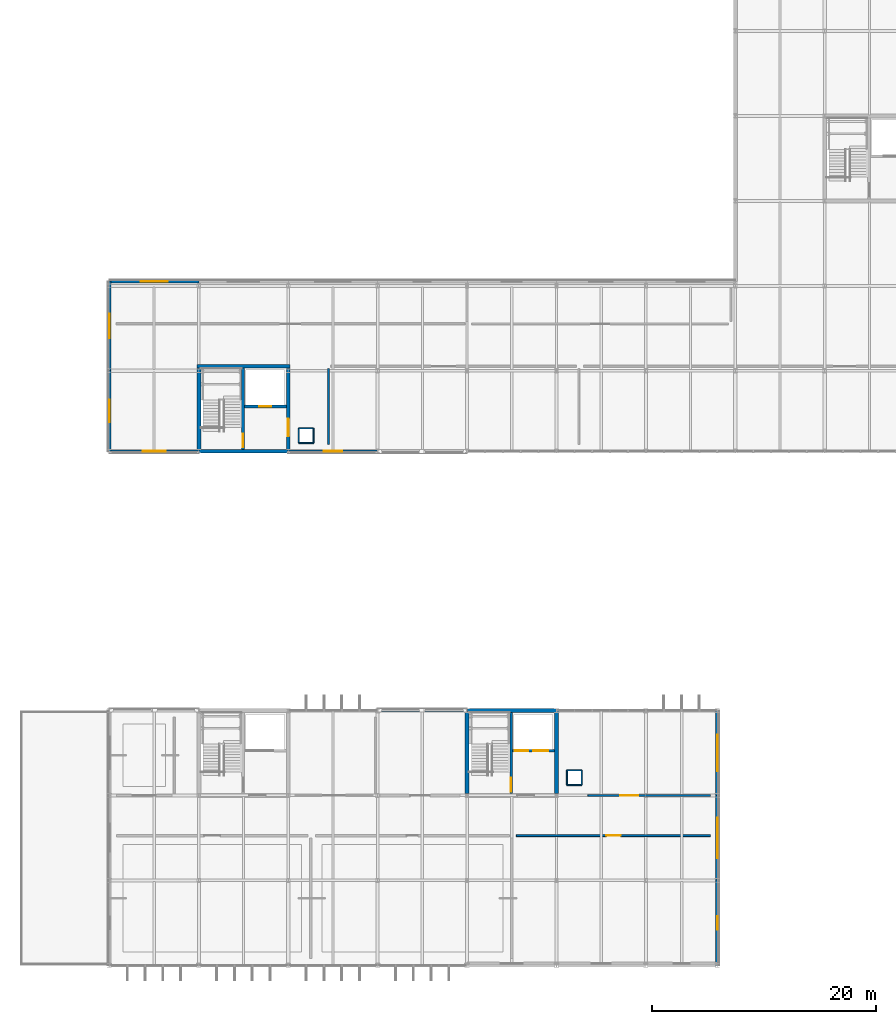
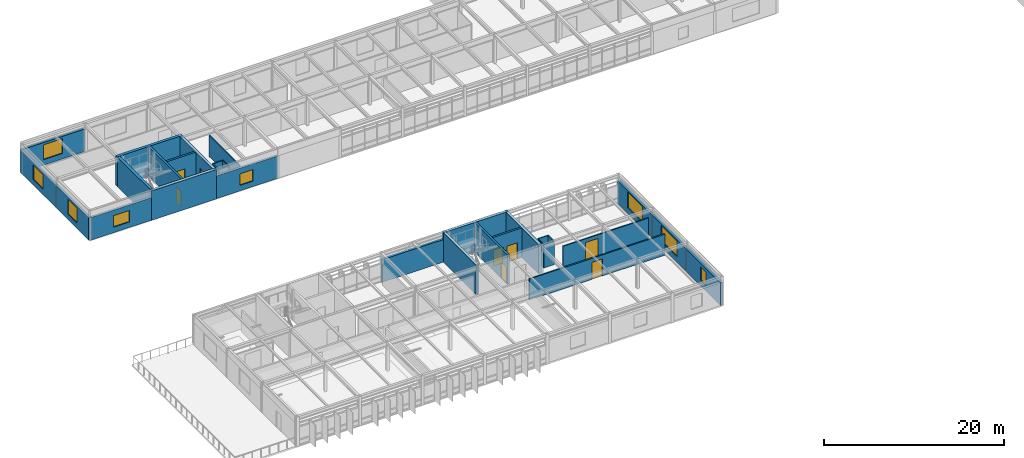
# One storey, part 32 of 45: 31 walls, 8 doors, 8 windows, 16 openings.
"""IFC4 building model written with IfcOpenShell, lengths in metres."""

from ifc_helpers import new_model, si_unit, direction, frame, frame_2d, origin, place, context, subcontext, project, spatial, rectangle, extrude, material, layer, layer_set, type_object, element, fill, save


model = new_model("IFC4")

# Units and contexts
model_context = context("Model", 3, precision=1e-05, world=origin(), true_north=direction((0.0, 1.0)))
body_context = subcontext(model_context, "Body", "Model", "MODEL_VIEW")
ifc_project = project(units=[si_unit("LENGTHUNIT", "METRE"), si_unit("AREAUNIT", "SQUARE_METRE"), si_unit("VOLUMEUNIT", "CUBIC_METRE"), si_unit("PLANEANGLEUNIT", "RADIAN"), si_unit("MASSUNIT", "GRAM", prefix="KILO")], contexts=[model_context])

# Site, building, storey
site_placement = place(None, origin())
site = spatial("IfcSite", under=ifc_project, at=site_placement, CompositionType="ELEMENT")
building_placement = place(site_placement, origin())
building = spatial("IfcBuilding", under=site, at=building_placement, Name="Zulena Civic Courthouse", CompositionType="ELEMENT")
storey_placement = place(building_placement, frame((0.0, 0.0, 29.39990234375)))
storey = spatial("IfcBuildingStorey", under=building, at=storey_placement, Name="L06", CompositionType="ELEMENT", Elevation=29.39990234375)

# Wall, opening, door
ifc_material_1 = material(Name="Concrete C40/50", Category="concrete")
ifc_layer_1 = layer(ifc_material_1, 0.25)
ifc_layer_set_1 = layer_set([ifc_layer_1], Name="Concrete C40/50")
wall_type_1 = type_object("IfcWallType", Name="CoreShearWall_RC250", PredefinedType="SHEAR", material=ifc_layer_set_1)
wall_1_placement = place(storey_placement, frame((47.949951171875, 15.375, 0.0), z_axis=(0.0, 0.0, 1.0), x_axis=(0.0, 1.0, 0.0)))
wall_1 = element("IfcWall", 1, at=wall_1_placement, inside=storey, type_object=wall_type_1, Name="cwall:K2B:L06:DIV", PredefinedType="SHEAR", context=body_context, shape_type="SweptSolid", body=[
    extrude(rectangle(XDim=7.25, YDim=0.25, at=frame_2d((3.625, 0.0))), origin(), (0.0, 0.0, 1.0), 3.989990234375),
])
opening_1_placement = place(wall_1_placement, frame((0.179931640625, 0.0, 0.0)))
opening_1 = element("IfcOpeningElement", 2, at=opening_1_placement, cuts=wall_1, Name="Opening ID06", PredefinedType="OPENING", context=body_context, shape_type="SweptSolid", body=[
    extrude(rectangle(XDim=1.25, YDim=2.199951171875, at=frame_2d((0.625, 1.10009765625))), frame((0.0, 0.135009765625, 0.0), z_axis=(0.0, -1.0, 0.0), x_axis=(1.0, 0.0, 0.0)), (0.0, 0.0, 1.0), 0.27001953125),
])
ifc_material_2 = material(Name="Fire-rated galvanised steel ASTM A653 Grade 50", Category="steel")
door_type_1 = type_object("IfcDoorType", Name="IntDoor_Stair_1250x2200", OperationType="NOTDEFINED", PredefinedType="DOOR", material=ifc_material_2)
door_1_placement = place(opening_1_placement, origin())
door_1 = element("IfcDoor", 3, at=door_1_placement, inside=storey, type_object=door_type_1, Name="door:stair:K2B:L06", OperationType="SINGLE_SWING_LEFT", OverallHeight=2.199951171875, OverallWidth=1.25, PredefinedType="DOOR", context=body_context, shape_type="SweptSolid", body=[
    extrude(rectangle(XDim=1.25, YDim=2.199951171875, at=frame_2d((0.625, 1.10009765625))), frame((0.0, 0.02490234375, 0.0), z_axis=(0.0, -1.0, 0.0), x_axis=(1.0, 0.0, 0.0)), (0.0, 0.0, 1.0), 0.050048828125),
])
fill(opening_1, door_1)

# Wall, openings, doors
wall_2_placement = place(storey_placement, frame((48.074951171875, 19.199951171875, 0.0), z_axis=(0.0, 0.0, 1.0), x_axis=(1.0, 0.0, 0.0)))
wall_2 = element("IfcWall", 4, at=wall_2_placement, inside=storey, type_object=wall_type_1, Name="cwall:K2B:L06:SHF", PredefinedType="SHEAR", context=body_context, shape_type="SweptSolid", body=[
    extrude(rectangle(XDim=3.75, YDim=0.25, at=frame_2d((1.875, 0.0))), origin(), (0.0, 0.0, 1.0), 3.989990234375),
])
opening_2_placement = place(wall_2_placement, frame((0.179931640625, 0.0, 0.0)))
opening_2 = element("IfcOpeningElement", 5, at=opening_2_placement, cuts=wall_2, Name="Opening LD01", PredefinedType="OPENING", context=body_context, shape_type="SweptSolid", body=[
    extrude(rectangle(XDim=1.199951171875, YDim=2.199951171875, at=frame_2d((0.60009765625, 1.10009765625))), frame((0.0, 0.135009765625, 0.0), z_axis=(0.0, -1.0, 0.0), x_axis=(1.0, 0.0, 0.0)), (0.0, 0.0, 1.0), 0.27001953125),
])
opening_3_placement = place(wall_2_placement, frame((1.85009765625, 0.0, 0.0)))
opening_3 = element("IfcOpeningElement", 6, at=opening_3_placement, cuts=wall_2, Name="Opening LD04", PredefinedType="OPENING", context=body_context, shape_type="SweptSolid", body=[
    extrude(rectangle(XDim=1.35009765625, YDim=2.199951171875, at=frame_2d((0.675048828125, 1.10009765625))), frame((0.0, 0.135009765625, 0.0), z_axis=(0.0, -1.0, 0.0), x_axis=(1.0, 0.0, 0.0)), (0.0, 0.0, 1.0), 0.27001953125),
])
door_type_2 = type_object("IfcDoorType", Name="LiftLandingDoor_FF_1200x2200", OperationType="SLIDING_TO_LEFT", PredefinedType="DOOR", material=ifc_material_2)
door_2_placement = place(opening_2_placement, origin())
door_2 = element("IfcDoor", 7, at=door_2_placement, inside=storey, type_object=door_type_2, Name="door:ld:FL-02:L06", OperationType="SLIDING_TO_LEFT", OverallHeight=2.199951171875, OverallWidth=1.199951171875, PredefinedType="DOOR", context=body_context, shape_type="SweptSolid", body=[
    extrude(rectangle(XDim=1.199951171875, YDim=2.199951171875, at=frame_2d((0.60009765625, 1.10009765625))), frame((0.0, 0.02490234375, 0.0), z_axis=(0.0, -1.0, 0.0), x_axis=(1.0, 0.0, 0.0)), (0.0, 0.0, 1.0), 0.050048828125),
])
fill(opening_2, door_2)
door_type_3 = type_object("IfcDoorType", Name="LiftLandingDoor_Goods_1350x2300", OperationType="DOUBLE_DOOR_SLIDING", PredefinedType="DOOR", material=ifc_material_2)
door_3_placement = place(opening_3_placement, origin())
door_3 = element("IfcDoor", 8, at=door_3_placement, inside=storey, type_object=door_type_3, Name="door:ld:CL-01:L06", OperationType="DOUBLE_DOOR_SLIDING", OverallHeight=2.199951171875, OverallWidth=1.35009765625, PredefinedType="DOOR", context=body_context, shape_type="SweptSolid", body=[
    extrude(rectangle(XDim=1.35009765625, YDim=2.199951171875, at=frame_2d((0.675048828125, 1.10009765625))), frame((0.0, 0.02490234375, 0.0), z_axis=(0.0, -1.0, 0.0), x_axis=(1.0, 0.0, 0.0)), (0.0, 0.0, 1.0), 0.050048828125),
])
fill(opening_3, door_3)

# Wall, opening, door
wall_3_placement = place(storey_placement, frame((23.949951171875, 46.175048828125, 0.0), z_axis=(0.0, 0.0, 1.0), x_axis=(0.0, 1.0, 0.0)))
wall_3 = element("IfcWall", 9, at=wall_3_placement, inside=storey, type_object=wall_type_1, Name="cwall:K5A:L06:DIV", PredefinedType="SHEAR", context=body_context, shape_type="SweptSolid", body=[
    extrude(rectangle(XDim=7.25, YDim=0.25, at=frame_2d((3.625, 0.0))), origin(), (0.0, 0.0, 1.0), 3.989990234375),
])
opening_4_placement = place(wall_3_placement, frame((0.179931640625, 0.0, 0.0)))
opening_4 = element("IfcOpeningElement", 10, at=opening_4_placement, cuts=wall_3, Name="Opening ID07", PredefinedType="OPENING", context=body_context, shape_type="SweptSolid", body=[
    extrude(rectangle(XDim=1.199951171875, YDim=2.199951171875, at=frame_2d((0.60009765625, 1.10009765625))), frame((0.0, 0.135009765625, 0.0), z_axis=(0.0, -1.0, 0.0), x_axis=(1.0, 0.0, 0.0)), (0.0, 0.0, 1.0), 0.27001953125),
])
door_type_4 = type_object("IfcDoorType", Name="IntDoor_Stair_1200x2200", OperationType="NOTDEFINED", PredefinedType="DOOR", material=ifc_material_2)
door_4_placement = place(opening_4_placement, origin())
door_4 = element("IfcDoor", 11, at=door_4_placement, inside=storey, type_object=door_type_4, Name="door:stair:K5A:L06", OperationType="SINGLE_SWING_RIGHT", OverallHeight=2.199951171875, OverallWidth=1.199951171875, PredefinedType="DOOR", context=body_context, shape_type="SweptSolid", body=[
    extrude(rectangle(XDim=1.199951171875, YDim=2.199951171875, at=frame_2d((0.60009765625, 1.10009765625))), frame((0.0, 0.02490234375, 0.0), z_axis=(0.0, -1.0, 0.0), x_axis=(1.0, 0.0, 0.0)), (0.0, 0.0, 1.0), 0.050048828125),
])
fill(opening_4, door_4)

wall_4_placement = place(storey_placement, frame((24.074951171875, 50.0, 0.0), z_axis=(0.0, 0.0, 1.0), x_axis=(1.0, 0.0, 0.0)))
wall_4 = element("IfcWall", 12, at=wall_4_placement, inside=storey, type_object=wall_type_1, Name="cwall:K5A:L06:SHF", PredefinedType="SHEAR", context=body_context, shape_type="SweptSolid", body=[
    extrude(rectangle(XDim=3.75, YDim=0.25, at=frame_2d((1.875, 0.0))), origin(), (0.0, 0.0, 1.0), 3.989990234375),
])
opening_5_placement = place(wall_4_placement, frame((1.344970703125, 0.0, 0.0)))
opening_5 = element("IfcOpeningElement", 13, at=opening_5_placement, cuts=wall_4, Name="Opening LD03", PredefinedType="OPENING", context=body_context, shape_type="SweptSolid", body=[
    extrude(rectangle(XDim=1.050048828125, YDim=2.199951171875, at=frame_2d((0.52490234375, 1.10009765625))), frame((0.0, 0.135009765625, 0.0), z_axis=(0.0, -1.0, 0.0), x_axis=(1.0, 0.0, 0.0)), (0.0, 0.0, 1.0), 0.27001953125),
])
door_type_5 = type_object("IfcDoorType", Name="LiftLandingDoor_Jud_1050x2200", OperationType="SLIDING_TO_RIGHT", PredefinedType="DOOR", material=ifc_material_2)
door_5_placement = place(opening_5_placement, origin())
door_5 = element("IfcDoor", 14, at=door_5_placement, inside=storey, type_object=door_type_5, Name="door:ld:JL-02:L06", OperationType="SLIDING_TO_RIGHT", OverallHeight=2.199951171875, OverallWidth=1.050048828125, PredefinedType="DOOR", context=body_context, shape_type="SweptSolid", body=[
    extrude(rectangle(XDim=1.050048828125, YDim=2.199951171875, at=frame_2d((0.52490234375, 1.10009765625))), frame((0.0, 0.02490234375, 0.0), z_axis=(0.0, -1.0, 0.0), x_axis=(1.0, 0.0, 0.0)), (0.0, 0.0, 1.0), 0.050048828125),
])
fill(opening_5, door_5)

# Walls
ifc_layer_2 = layer(ifc_material_1, 0.35009765625)
ifc_layer_set_2 = layer_set([ifc_layer_2], Name="Concrete C40/50")
wall_type_2 = type_object("IfcWallType", Name="CoreShearWall_RC350", PredefinedType="SHEAR", material=ifc_layer_set_2)
wall_5_placement = place(storey_placement, frame((43.824951171875, 22.800048828125, 0.0), z_axis=(0.0, 0.0, 1.0), x_axis=(1.0, 0.0, 0.0)))
element("IfcWall", 15, at=wall_5_placement, inside=storey, type_object=wall_type_2, Name="cwall:K2B:L06:N", PredefinedType="SHEAR", context=body_context, shape_type="SweptSolid", body=[
    extrude(rectangle(XDim=8.35009765625, YDim=0.35009765625, at=frame_2d((4.175048828125, 0.0))), origin(), (0.0, 0.0, 1.0), 3.989990234375),
])
for number, where, z_axis, x_axis, name in (
    (16, (44.0, 15.375, 0.0), (0.0, 0.0, 1.0), (0.0, 1.0, 0.0), "cwall:K2B:L06:W"),
    (17, (52.0, 15.375, 0.0), (0.0, 0.0, 1.0), (0.0, 1.0, 0.0), "cwall:K2B:L06:E"),
):
    element("IfcWall", number, at=place(storey_placement, frame(where, z_axis=z_axis, x_axis=x_axis)), inside=storey, type_object=wall_type_2, Name=name, PredefinedType="SHEAR", context=body_context, shape_type="SweptSolid", body=[
        extrude(rectangle(XDim=7.25, YDim=0.35009765625, at=frame_2d((3.625, 0.0))), origin(), (0.0, 0.0, 1.0), 3.989990234375),
    ])
for number, where, z_axis, x_axis, name in (
    (18, (19.824951171875, 46.0, 0.0), (0.0, 0.0, 1.0), (1.0, 0.0, 0.0), "cwall:K5A:L06:S"),
    (19, (19.824951171875, 53.60009765625, 0.0), (0.0, 0.0, 1.0), (1.0, 0.0, 0.0), "cwall:K5A:L06:N"),
):
    element("IfcWall", number, at=place(storey_placement, frame(where, z_axis=z_axis, x_axis=x_axis)), inside=storey, type_object=wall_type_2, Name=name, PredefinedType="SHEAR", context=body_context, shape_type="SweptSolid", body=[
        extrude(rectangle(XDim=8.35009765625, YDim=0.35009765625, at=frame_2d((4.175048828125, 0.0))), origin(), (0.0, 0.0, 1.0), 3.989990234375),
    ])
wall_6_placement = place(storey_placement, frame((20.0, 46.175048828125, 0.0), z_axis=(0.0, 0.0, 1.0), x_axis=(0.0, 1.0, 0.0)))
element("IfcWall", 20, at=wall_6_placement, inside=storey, type_object=wall_type_2, Name="cwall:K5A:L06:W", PredefinedType="SHEAR", context=body_context, shape_type="SweptSolid", body=[
    extrude(rectangle(XDim=7.25, YDim=0.35009765625, at=frame_2d((3.625, 0.0))), origin(), (0.0, 0.0, 1.0), 3.989990234375),
])

# Wall, opening, door
wall_7_placement = place(storey_placement, frame((28.0, 46.175048828125, 0.0), z_axis=(0.0, 0.0, 1.0), x_axis=(0.0, 1.0, 0.0)))
wall_7 = element("IfcWall", 21, at=wall_7_placement, inside=storey, type_object=wall_type_2, Name="cwall:K5A:L06:E", PredefinedType="SHEAR", context=body_context, shape_type="SweptSolid", body=[
    extrude(rectangle(XDim=7.25, YDim=0.35009765625, at=frame_2d((3.625, 0.0))), origin(), (0.0, 0.0, 1.0), 3.989990234375),
])
opening_6_placement = place(wall_7_placement, frame((1.14990234375, 0.0, 0.0)))
opening_6 = element("IfcOpeningElement", 22, at=opening_6_placement, cuts=wall_7, Name="Opening ID04", PredefinedType="OPENING", context=body_context, shape_type="SweptSolid", body=[
    extrude(rectangle(XDim=1.60009765625, YDim=2.35009765625, at=frame_2d((0.800048828125, 1.175048828125))), frame((0.0, 0.18505859375, 0.0), z_axis=(0.0, -1.0, 0.0), x_axis=(1.0, 0.0, 0.0)), (0.0, 0.0, 1.0), 0.3701171875),
])
ifc_material_3 = material(Name="Solid-core acoustic hardwood timber", Category="wood")
door_type_6 = type_object("IfcDoorType", Name="IntDoor_CourtPublic_1600x2350", OperationType="DOUBLE_DOOR_SINGLE_SWING", PredefinedType="DOOR", material=ifc_material_3)
door_6_placement = place(opening_6_placement, origin())
door_6 = element("IfcDoor", 23, at=door_6_placement, inside=storey, type_object=door_type_6, Name="door:corelob:K5A:L06", OperationType="DOUBLE_DOOR_SINGLE_SWING", OverallHeight=2.35009765625, OverallWidth=1.60009765625, PredefinedType="DOOR", context=body_context, shape_type="SweptSolid", body=[
    extrude(rectangle(XDim=1.60009765625, YDim=2.35009765625, at=frame_2d((0.800048828125, 1.175048828125))), frame((0.0, 0.02490234375, 0.0), z_axis=(0.0, -1.0, 0.0), x_axis=(1.0, 0.0, 0.0)), (0.0, 0.0, 1.0), 0.050048828125),
])
fill(opening_6, door_6)

# Wall, opening, window
ifc_material_4 = material(Name="Buff architectural precast concrete C40/50", Category="concrete")
ifc_layer_3 = layer(ifc_material_4, 0.264892578125)
ifc_layer_set_3 = layer_set([ifc_layer_3], Name="Buff architectural precast concrete C40/50")
wall_type_3 = type_object("IfcWallType", Name="ExtWall_BuffPrecast_265", PredefinedType="STANDARD", material=ifc_layer_set_3)
wall_8_placement = place(storey_placement, frame((12.0, 45.97998046875, 0.0), z_axis=(0.0, 0.0, 1.0), x_axis=(0.0, 1.0, 0.0)))
wall_8 = element("IfcWall", 24, at=wall_8_placement, inside=storey, type_object=wall_type_3, Name="ewall:V5:L06:0:0", PredefinedType="STANDARD", context=body_context, shape_type="SweptSolid", body=[
    extrude(rectangle(XDim=7.239990234375, YDim=0.264892578125, at=frame_2d((3.6201171875, 0.0))), origin(), (0.0, 0.0, 1.0), 3.06005859375),
])
opening_7_placement = place(wall_8_placement, frame((2.6201171875, 0.0, 0.75)))
opening_7 = element("IfcOpeningElement", 25, at=opening_7_placement, cuts=wall_8, Name="Opening WN04", PredefinedType="OPENING", context=body_context, shape_type="SweptSolid", body=[
    extrude(rectangle(XDim=2.0, YDim=2.0, at=frame_2d((1.0, 1.0))), frame((0.0, 0.142333984375, 0.0), z_axis=(0.0, -1.0, 0.0), x_axis=(1.0, 0.0, 0.0)), (0.0, 0.0, 1.0), 0.284912109375),
])
ifc_material_5 = material(Name="Double-silver low-E laminated solar-control glass", Category="glass")
window_type_1 = type_object("IfcWindowType", Name="Win_2000x2000", PartitioningType="DOUBLE_PANEL_VERTICAL", PredefinedType="WINDOW", material=ifc_material_5)
window_1_placement = place(opening_7_placement, origin())
window_1 = element("IfcWindow", 26, at=window_1_placement, inside=storey, type_object=window_type_1, Name="win:V5:L06:0:0", OverallHeight=2.0, OverallWidth=2.0, PartitioningType="SINGLE_PANEL", PredefinedType="WINDOW", context=body_context, shape_type="SweptSolid", body=[
    extrude(rectangle(XDim=2.0, YDim=2.0, at=frame_2d((1.0, 1.0))), frame((0.0, 0.030029296875, 0.0), z_axis=(0.0, -1.0, 0.0), x_axis=(1.0, 0.0, 0.0)), (0.0, 0.0, 1.0), 0.06005859375),
])
fill(opening_7, window_1)

wall_9_placement = place(storey_placement, frame((12.0, 53.179931640625, 0.0), z_axis=(0.0, 0.0, 1.0), x_axis=(0.0, 1.0, 0.0)))
wall_9 = element("IfcWall", 27, at=wall_9_placement, inside=storey, type_object=wall_type_3, Name="ewall:V5:L06:0:1", PredefinedType="STANDARD", context=body_context, shape_type="SweptSolid", body=[
    extrude(rectangle(XDim=8.0400390625, YDim=0.264892578125, at=frame_2d((4.02001953125, 0.0))), origin(), (0.0, 0.0, 1.0), 3.06005859375),
])
opening_8_placement = place(wall_9_placement, frame((2.919921875, 0.0, 0.75)))
opening_8 = element("IfcOpeningElement", 28, at=opening_8_placement, cuts=wall_9, Name="Opening WN05", PredefinedType="OPENING", context=body_context, shape_type="SweptSolid", body=[
    extrude(rectangle(XDim=2.199951171875, YDim=2.0, at=frame_2d((1.10009765625, 1.0))), frame((0.0, 0.142333984375, 0.0), z_axis=(0.0, -1.0, 0.0), x_axis=(1.0, 0.0, 0.0)), (0.0, 0.0, 1.0), 0.284912109375),
])
window_type_2 = type_object("IfcWindowType", Name="Win_2200x2000", PartitioningType="DOUBLE_PANEL_VERTICAL", PredefinedType="WINDOW", material=ifc_material_5)
window_2_placement = place(opening_8_placement, origin())
window_2 = element("IfcWindow", 29, at=window_2_placement, inside=storey, type_object=window_type_2, Name="win:V5:L06:0:1", OverallHeight=2.0, OverallWidth=2.199951171875, PartitioningType="SINGLE_PANEL", PredefinedType="WINDOW", context=body_context, shape_type="SweptSolid", body=[
    extrude(rectangle(XDim=2.199951171875, YDim=2.0, at=frame_2d((1.10009765625, 1.0))), frame((0.0, 0.030029296875, 0.0), z_axis=(0.0, -1.0, 0.0), x_axis=(1.0, 0.0, 0.0)), (0.0, 0.0, 1.0), 0.06005859375),
])
fill(opening_8, window_2)

wall_10_placement = place(storey_placement, frame((11.97998046875, 61.199951171875, 0.0), z_axis=(0.0, 0.0, 1.0), x_axis=(1.0, 0.0, 0.0)))
wall_10 = element("IfcWall", 30, at=wall_10_placement, inside=storey, type_object=wall_type_3, Name="ewall:V5:L06:1:0", PredefinedType="STANDARD", context=body_context, shape_type="SweptSolid", body=[
    extrude(rectangle(XDim=8.0400390625, YDim=0.264892578125, at=frame_2d((4.02001953125, 0.0))), origin(), (0.0, 0.0, 1.0), 3.06005859375),
])
opening_9_placement = place(wall_10_placement, frame((2.820068359375, 0.0, 0.75)))
opening_9 = element("IfcOpeningElement", 31, at=opening_9_placement, cuts=wall_10, Name="Opening WN06", PredefinedType="OPENING", context=body_context, shape_type="SweptSolid", body=[
    extrude(rectangle(XDim=2.39990234375, YDim=2.0, at=frame_2d((1.199951171875, 1.0))), frame((0.0, 0.142333984375, 0.0), z_axis=(0.0, -1.0, 0.0), x_axis=(1.0, 0.0, 0.0)), (0.0, 0.0, 1.0), 0.284912109375),
])
window_type_3 = type_object("IfcWindowType", Name="Win_2400x2000", PartitioningType="DOUBLE_PANEL_VERTICAL", PredefinedType="WINDOW", material=ifc_material_5)
window_3_placement = place(opening_9_placement, origin())
window_3 = element("IfcWindow", 32, at=window_3_placement, inside=storey, type_object=window_type_3, Name="win:V5:L06:1:0", OverallHeight=2.0, OverallWidth=2.39990234375, PartitioningType="SINGLE_PANEL", PredefinedType="WINDOW", context=body_context, shape_type="SweptSolid", body=[
    extrude(rectangle(XDim=2.39990234375, YDim=2.0, at=frame_2d((1.199951171875, 1.0))), frame((0.0, 0.030029296875, 0.0), z_axis=(0.0, -1.0, 0.0), x_axis=(1.0, 0.0, 0.0)), (0.0, 0.0, 1.0), 0.06005859375),
])
fill(opening_9, window_3)

wall_11_placement = place(storey_placement, frame((36.02001953125, 46.0, 0.0), z_axis=(0.0, 0.0, 1.0), x_axis=(-1.0, 0.0, 0.0)))
wall_11 = element("IfcWall", 33, at=wall_11_placement, inside=storey, type_object=wall_type_3, Name="ewall:V5:L06:5:8", PredefinedType="STANDARD", context=body_context, shape_type="SweptSolid", body=[
    extrude(rectangle(XDim=8.0400390625, YDim=0.264892578125, at=frame_2d((4.02001953125, 0.0))), origin(), (0.0, 0.0, 1.0), 3.06005859375),
])
opening_10_placement = place(wall_11_placement, frame((3.195068359375, 0.0, 0.75)))
opening_10 = element("IfcOpeningElement", 34, at=opening_10_placement, cuts=wall_11, Name="Opening WN25", PredefinedType="OPENING", context=body_context, shape_type="SweptSolid", body=[
    extrude(rectangle(XDim=1.64990234375, YDim=1.550048828125, at=frame_2d((0.824951171875, 0.77490234375))), frame((0.0, 0.142333984375, 0.0), z_axis=(0.0, -1.0, 0.0), x_axis=(1.0, 0.0, 0.0)), (0.0, 0.0, 1.0), 0.284912109375),
])
window_type_4 = type_object("IfcWindowType", Name="Win_1650x1550", PartitioningType="SINGLE_PANEL", PredefinedType="WINDOW", material=ifc_material_5)
window_4_placement = place(opening_10_placement, origin())
window_4 = element("IfcWindow", 35, at=window_4_placement, inside=storey, type_object=window_type_4, Name="win:V5:L06:5:8", OverallHeight=1.550048828125, OverallWidth=1.64990234375, PartitioningType="SINGLE_PANEL", PredefinedType="WINDOW", context=body_context, shape_type="SweptSolid", body=[
    extrude(rectangle(XDim=1.64990234375, YDim=1.550048828125, at=frame_2d((0.824951171875, 0.77490234375))), frame((0.0, 0.030029296875, 0.0), z_axis=(0.0, -1.0, 0.0), x_axis=(1.0, 0.0, 0.0)), (0.0, 0.0, 1.0), 0.06005859375),
])
fill(opening_10, window_4)

wall_12_placement = place(storey_placement, frame((20.02001953125, 46.0, 0.0), z_axis=(0.0, 0.0, 1.0), x_axis=(-1.0, 0.0, 0.0)))
wall_12 = element("IfcWall", 36, at=wall_12_placement, inside=storey, type_object=wall_type_3, Name="ewall:V5:L06:5:10", PredefinedType="STANDARD", context=body_context, shape_type="SweptSolid", body=[
    extrude(rectangle(XDim=8.0400390625, YDim=0.264892578125, at=frame_2d((4.02001953125, 0.0))), origin(), (0.0, 0.0, 1.0), 3.06005859375),
])
opening_11_placement = place(wall_12_placement, frame((2.9951171875, 0.0, 0.75)))
opening_11 = element("IfcOpeningElement", 37, at=opening_11_placement, cuts=wall_12, Name="Opening WN26", PredefinedType="OPENING", context=body_context, shape_type="SweptSolid", body=[
    extrude(rectangle(XDim=2.050048828125, YDim=1.550048828125, at=frame_2d((1.02490234375, 0.77490234375))), frame((0.0, 0.142333984375, 0.0), z_axis=(0.0, -1.0, 0.0), x_axis=(1.0, 0.0, 0.0)), (0.0, 0.0, 1.0), 0.284912109375),
])
window_type_5 = type_object("IfcWindowType", Name="Win_2050x1550", PartitioningType="DOUBLE_PANEL_VERTICAL", PredefinedType="WINDOW", material=ifc_material_5)
window_5_placement = place(opening_11_placement, origin())
window_5 = element("IfcWindow", 38, at=window_5_placement, inside=storey, type_object=window_type_5, Name="win:V5:L06:5:10", OverallHeight=1.550048828125, OverallWidth=2.050048828125, PartitioningType="SINGLE_PANEL", PredefinedType="WINDOW", context=body_context, shape_type="SweptSolid", body=[
    extrude(rectangle(XDim=2.050048828125, YDim=1.550048828125, at=frame_2d((1.02490234375, 0.77490234375))), frame((0.0, 0.030029296875, 0.0), z_axis=(0.0, -1.0, 0.0), x_axis=(1.0, 0.0, 0.0)), (0.0, 0.0, 1.0), 0.06005859375),
])
fill(opening_11, window_5)

# Wall
ifc_material_6 = material(Name="White architectural precast concrete C40/50", Category="concrete")
ifc_layer_4 = layer(ifc_material_6, 0.300048828125)
ifc_layer_set_4 = layer_set([ifc_layer_4], Name="White architectural precast concrete C40/50")
wall_type_4 = type_object("IfcWallType", Name="ExtWall_WhitePrecast_300", PredefinedType="STANDARD", material=ifc_layer_set_4)
wall_13_placement = place(storey_placement, frame((35.97998046875, 22.800048828125, 0.0), z_axis=(0.0, 0.0, 1.0), x_axis=(1.0, 0.0, 0.0)))
element("IfcWall", 39, at=wall_13_placement, inside=storey, type_object=wall_type_4, Name="ewall:V2:L06:1:3", PredefinedType="STANDARD", context=body_context, shape_type="SweptSolid", body=[
    extrude(rectangle(XDim=8.0400390625, YDim=0.300048828125, at=frame_2d((4.02001953125, 0.0))), origin(), (0.0, 0.0, 1.0), 3.06005859375),
])

# Wall, opening, window
wall_14_placement = place(storey_placement, frame((66.39990234375, 22.820068359375, 0.0), z_axis=(0.0, 0.0, 1.0), x_axis=(0.0, -1.0, 0.0)))
wall_14 = element("IfcWall", 40, at=wall_14_placement, inside=storey, type_object=wall_type_4, Name="ewall:V2:L06:2:0", PredefinedType="STANDARD", context=body_context, shape_type="SweptSolid", body=[
    extrude(rectangle(XDim=7.64013671875, YDim=0.300048828125, at=frame_2d((3.820068359375, 0.0))), origin(), (0.0, 0.0, 1.0), 3.06005859375),
])
opening_12_placement = place(wall_14_placement, frame((2.169921875, 0.0, 0.75)))
opening_12 = element("IfcOpeningElement", 41, at=opening_12_placement, cuts=wall_14, Name="Opening WN14", PredefinedType="OPENING", context=body_context, shape_type="SweptSolid", body=[
    extrude(rectangle(XDim=3.300048828125, YDim=2.14990234375, at=frame_2d((1.64990234375, 1.074951171875))), frame((0.0, 0.159912109375, 0.0), z_axis=(0.0, -1.0, 0.0), x_axis=(1.0, 0.0, 0.0)), (0.0, 0.0, 1.0), 0.320068359375),
])
window_type_6 = type_object("IfcWindowType", Name="Win_3300x2150", PartitioningType="DOUBLE_PANEL_VERTICAL", PredefinedType="WINDOW", material=ifc_material_5)
window_6_placement = place(opening_12_placement, origin())
window_6 = element("IfcWindow", 42, at=window_6_placement, inside=storey, type_object=window_type_6, Name="win:V2:L06:2:0", OverallHeight=2.14990234375, OverallWidth=3.300048828125, PartitioningType="SINGLE_PANEL", PredefinedType="WINDOW", context=body_context, shape_type="SweptSolid", body=[
    extrude(rectangle(XDim=3.300048828125, YDim=2.14990234375, at=frame_2d((1.64990234375, 1.074951171875))), frame((0.0, 0.030029296875, 0.0), z_axis=(0.0, -1.0, 0.0), x_axis=(1.0, 0.0, 0.0)), (0.0, 0.0, 1.0), 0.06005859375),
])
fill(opening_12, window_6)

wall_15_placement = place(storey_placement, frame((66.39990234375, 15.219970703125, 0.0), z_axis=(0.0, 0.0, 1.0), x_axis=(0.0, -1.0, 0.0)))
wall_15 = element("IfcWall", 43, at=wall_15_placement, inside=storey, type_object=wall_type_4, Name="ewall:V2:L06:2:1", PredefinedType="STANDARD", context=body_context, shape_type="SweptSolid", body=[
    extrude(rectangle(XDim=7.639892578125, YDim=0.300048828125, at=frame_2d((3.81982421875, 0.0))), origin(), (0.0, 0.0, 1.0), 3.06005859375),
])
opening_13_placement = place(wall_15_placement, frame((2.02001953125, 0.0, 0.75)))
opening_13 = element("IfcOpeningElement", 44, at=opening_13_placement, cuts=wall_15, Name="Opening WN15", PredefinedType="OPENING", context=body_context, shape_type="SweptSolid", body=[
    extrude(rectangle(XDim=3.60009765625, YDim=2.14990234375, at=frame_2d((1.800048828125, 1.074951171875))), frame((0.0, 0.159912109375, 0.0), z_axis=(0.0, -1.0, 0.0), x_axis=(1.0, 0.0, 0.0)), (0.0, 0.0, 1.0), 0.320068359375),
])
window_type_7 = type_object("IfcWindowType", Name="Win_3600x2150", PartitioningType="DOUBLE_PANEL_VERTICAL", PredefinedType="WINDOW", material=ifc_material_5)
window_7_placement = place(opening_13_placement, origin())
window_7 = element("IfcWindow", 45, at=window_7_placement, inside=storey, type_object=window_type_7, Name="win:V2:L06:2:1", OverallHeight=2.14990234375, OverallWidth=3.60009765625, PartitioningType="SINGLE_PANEL", PredefinedType="WINDOW", context=body_context, shape_type="SweptSolid", body=[
    extrude(rectangle(XDim=3.60009765625, YDim=2.14990234375, at=frame_2d((1.800048828125, 1.074951171875))), frame((0.0, 0.030029296875, 0.0), z_axis=(0.0, -1.0, 0.0), x_axis=(1.0, 0.0, 0.0)), (0.0, 0.0, 1.0), 0.06005859375),
])
fill(opening_13, window_7)

wall_16_placement = place(storey_placement, frame((66.39990234375, 7.6201171875, 0.0), z_axis=(0.0, 0.0, 1.0), x_axis=(0.0, -1.0, 0.0)))
wall_16 = element("IfcWall", 46, at=wall_16_placement, inside=storey, type_object=wall_type_4, Name="ewall:V2:L06:2:2", PredefinedType="STANDARD", context=body_context, shape_type="SweptSolid", body=[
    extrude(rectangle(XDim=7.64013671875, YDim=0.300048828125, at=frame_2d((3.820068359375, 0.0))), origin(), (0.0, 0.0, 1.0), 3.06005859375),
])
opening_14_placement = place(wall_16_placement, frame((3.219970703125, 0.0, 0.75)))
opening_14 = element("IfcOpeningElement", 47, at=opening_14_placement, cuts=wall_16, Name="Opening WN16", PredefinedType="OPENING", context=body_context, shape_type="SweptSolid", body=[
    extrude(rectangle(XDim=1.199951171875, YDim=1.800048828125, at=frame_2d((0.60009765625, 0.89990234375))), frame((0.0, 0.159912109375, 0.0), z_axis=(0.0, -1.0, 0.0), x_axis=(1.0, 0.0, 0.0)), (0.0, 0.0, 1.0), 0.320068359375),
])
window_type_8 = type_object("IfcWindowType", Name="Win_1200x1800", PartitioningType="SINGLE_PANEL", PredefinedType="WINDOW", material=ifc_material_5)
window_8_placement = place(opening_14_placement, origin())
window_8 = element("IfcWindow", 48, at=window_8_placement, inside=storey, type_object=window_type_8, Name="win:V2:L06:2:2", OverallHeight=1.800048828125, OverallWidth=1.199951171875, PartitioningType="SINGLE_PANEL", PredefinedType="WINDOW", context=body_context, shape_type="SweptSolid", body=[
    extrude(rectangle(XDim=1.199951171875, YDim=1.800048828125, at=frame_2d((0.60009765625, 0.89990234375))), frame((0.0, 0.030029296875, 0.0), z_axis=(0.0, -1.0, 0.0), x_axis=(1.0, 0.0, 0.0)), (0.0, 0.0, 1.0), 0.06005859375),
])
fill(opening_14, window_8)

# Wall, opening, door
ifc_material_7 = material(Name="Acoustic fire-rated gypsum board assembly", Category="masonry")
ifc_layer_5 = layer(ifc_material_7, 0.14599609375)
ifc_layer_set_5 = layer_set([ifc_layer_5], Name="Acoustic fire-rated gypsum board assembly")
wall_type_5 = type_object("IfcWallType", Name="PartWall_Chambers_146", PredefinedType="PARTITIONING", material=ifc_layer_set_5)
wall_17_placement = place(storey_placement, frame((54.820068359375, 15.199951171875, 0.0), z_axis=(0.0, 0.0, 1.0), x_axis=(1.0, 0.0, 0.0)))
wall_17 = element("IfcWall", 49, at=wall_17_placement, inside=storey, type_object=wall_type_5, Name="pwall:L06:347:0", PredefinedType="PARTITIONING", context=body_context, shape_type="SweptSolid", body=[
    extrude(rectangle(XDim=10.9599609375, YDim=0.14599609375, at=frame_2d((5.47998046875, 0.0))), origin(), (0.0, 0.0, 1.0), 2.85009765625),
])
opening_15_placement = place(wall_17_placement, frame((2.8798828125, 0.0, 0.0)))
opening_15 = element("IfcOpeningElement", 50, at=opening_15_placement, cuts=wall_17, Name="Opening ID04", PredefinedType="OPENING", context=body_context, shape_type="SweptSolid", body=[
    extrude(rectangle(XDim=1.60009765625, YDim=2.35009765625, at=frame_2d((0.800048828125, 1.175048828125))), frame((0.0, 0.0830078125, 0.0), z_axis=(0.0, -1.0, 0.0), x_axis=(1.0, 0.0, 0.0)), (0.0, 0.0, 1.0), 0.166015625),
])
door_7_placement = place(opening_15_placement, origin())
door_7 = element("IfcDoor", 51, at=door_7_placement, inside=storey, type_object=door_type_6, Name="door:rm:L06:347", OperationType="DOUBLE_DOOR_SINGLE_SWING", OverallHeight=2.35009765625, OverallWidth=1.60009765625, PredefinedType="DOOR", context=body_context, shape_type="SweptSolid", body=[
    extrude(rectangle(XDim=1.60009765625, YDim=2.35009765625, at=frame_2d((0.800048828125, 1.175048828125))), frame((0.0, 0.02490234375, 0.0), z_axis=(0.0, -1.0, 0.0), x_axis=(1.0, 0.0, 0.0)), (0.0, 0.0, 1.0), 0.050048828125),
])
fill(opening_15, door_7)

# Wall
wall_18_placement = place(storey_placement, frame((31.60009765625, 46.6201171875, 0.0), z_axis=(0.0, 0.0, 1.0), x_axis=(0.0, 1.0, 0.0)))
element("IfcWall", 52, at=wall_18_placement, inside=storey, type_object=wall_type_5, Name="pwall:L06:421:1", PredefinedType="PARTITIONING", context=body_context, shape_type="SweptSolid", body=[
    extrude(rectangle(XDim=6.759765625, YDim=0.14599609375, at=frame_2d((3.3798828125, 0.0))), origin(), (0.0, 0.0, 1.0), 2.85009765625),
])

# Wall, opening, door
ifc_layer_6 = layer(ifc_material_7, 0.177978515625)
ifc_layer_set_6 = layer_set([ifc_layer_6], Name="Acoustic fire-rated gypsum board assembly")
wall_type_6 = type_object("IfcWallType", Name="PartWall_Corridor_178", PredefinedType="PARTITIONING", material=ifc_layer_set_6)
wall_19_placement = place(storey_placement, frame((48.419921875, 11.60009765625, 0.0), z_axis=(0.0, 0.0, 1.0), x_axis=(1.0, 0.0, 0.0)))
wall_19 = element("IfcWall", 53, at=wall_19_placement, inside=storey, type_object=wall_type_6, Name="pwall:L06:343:0", PredefinedType="PARTITIONING", context=body_context, shape_type="SweptSolid", body=[
    extrude(rectangle(XDim=17.360107421875, YDim=0.177978515625, at=frame_2d((8.68017578125, 0.0))), origin(), (0.0, 0.0, 1.0), 2.85009765625),
])
opening_16_placement = place(wall_19_placement, frame((8.02001953125, 0.0, 0.0)))
opening_16 = element("IfcOpeningElement", 54, at=opening_16_placement, cuts=wall_19, Name="Opening ID30", PredefinedType="OPENING", context=body_context, shape_type="SweptSolid", body=[
    extrude(rectangle(XDim=1.320068359375, YDim=2.300048828125, at=frame_2d((0.66015625, 1.14990234375))), frame((0.0, 0.098876953125, 0.0), z_axis=(0.0, -1.0, 0.0), x_axis=(1.0, 0.0, 0.0)), (0.0, 0.0, 1.0), 0.197998046875),
])
door_type_7 = type_object("IfcDoorType", Name="IntDoor_Conference_1320x2300", OperationType="NOTDEFINED", PredefinedType="DOOR", material=ifc_material_3)
door_8_placement = place(opening_16_placement, origin())
door_8 = element("IfcDoor", 55, at=door_8_placement, inside=storey, type_object=door_type_7, Name="door:rm:L06:343", OperationType="SINGLE_SWING_LEFT", OverallHeight=2.300048828125, OverallWidth=1.320068359375, PredefinedType="DOOR", context=body_context, shape_type="SweptSolid", body=[
    extrude(rectangle(XDim=1.320068359375, YDim=2.300048828125, at=frame_2d((0.66015625, 1.14990234375))), frame((0.0, 0.02490234375, 0.0), z_axis=(0.0, -1.0, 0.0), x_axis=(1.0, 0.0, 0.0)), (0.0, 0.0, 1.0), 0.050048828125),
])
fill(opening_16, door_8)

# Walls
ifc_material_8 = material(Name="Insulated blockwork masonry ASTM C90", Category="masonry")
ifc_layer_7 = layer(ifc_material_8, 0.114990234375)
ifc_layer_set_7 = layer_set([ifc_layer_7], Name="Insulated blockwork masonry ASTM C90")
wall_type_7 = type_object("IfcWallType", Name="PartWall_Riser_115", PredefinedType="PARTITIONING", material=ifc_layer_set_7)
for number, where, z_axis, x_axis, name in (
    (56, (52.93994140625, 16.139892578125, 0.0), (0.0, 0.0, 1.0), (1.0, 0.0, 0.0), "riser:RS-V2E:L06:0"),
    (57, (54.260009765625, 16.139892578125, 0.0), (0.0, 0.0, 1.0), (0.0, 1.0, 0.0), "riser:RS-V2E:L06:1"),
    (58, (54.260009765625, 17.4599609375, 0.0), (0.0, 0.0, 1.0), (-1.0, 0.0, 0.0), "riser:RS-V2E:L06:2"),
    (59, (52.93994140625, 17.4599609375, 0.0), (0.0, 0.0, 1.0), (0.0, -1.0, 0.0), "riser:RS-V2E:L06:3"),
    (60, (28.93994140625, 46.739990234375, 0.0), (0.0, 0.0, 1.0), (1.0, 0.0, 0.0), "riser:RS-V5W:L06:0"),
    (61, (30.260009765625, 46.739990234375, 0.0), (0.0, 0.0, 1.0), (0.0, 1.0, 0.0), "riser:RS-V5W:L06:1"),
    (62, (30.260009765625, 48.06005859375, 0.0), (0.0, 0.0, 1.0), (-1.0, 0.0, 0.0), "riser:RS-V5W:L06:2"),
    (63, (28.93994140625, 48.06005859375, 0.0), (0.0, 0.0, 1.0), (0.0, -1.0, 0.0), "riser:RS-V5W:L06:3"),
):
    element("IfcWall", number, at=place(storey_placement, frame(where, z_axis=z_axis, x_axis=x_axis)), inside=storey, type_object=wall_type_7, Name=name, PredefinedType="PARTITIONING", context=body_context, shape_type="SweptSolid", body=[
        extrude(rectangle(XDim=1.320068359375, YDim=0.114990234375, at=frame_2d((0.66015625, 0.0))), origin(), (0.0, 0.0, 1.0), 3.150146484375),
    ])

save(model, "model.ifc")
